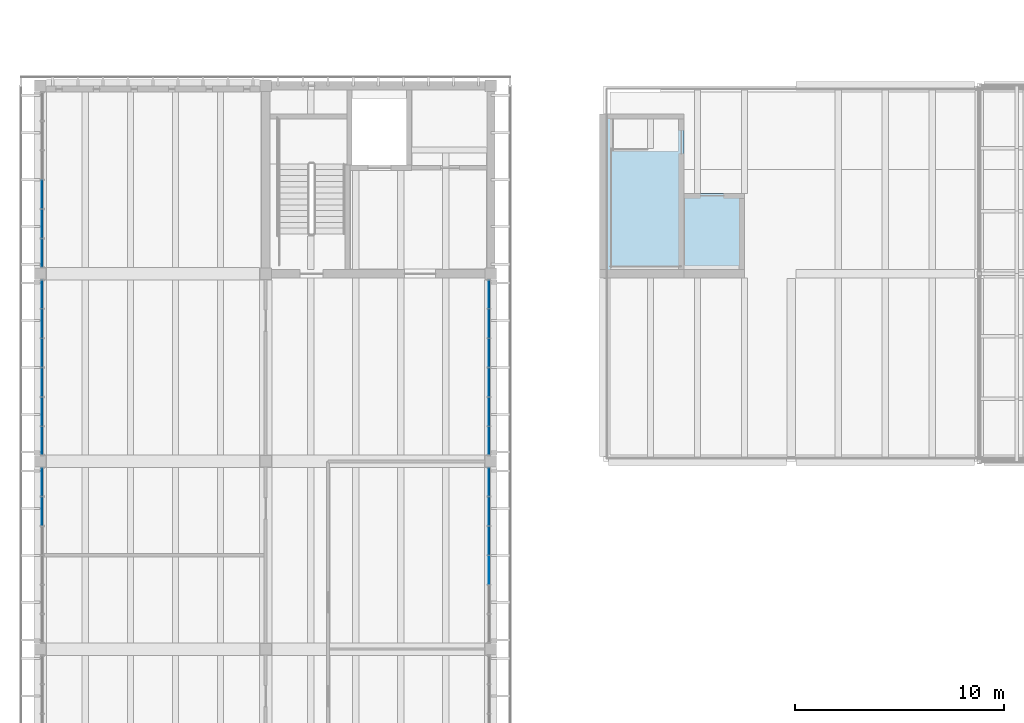
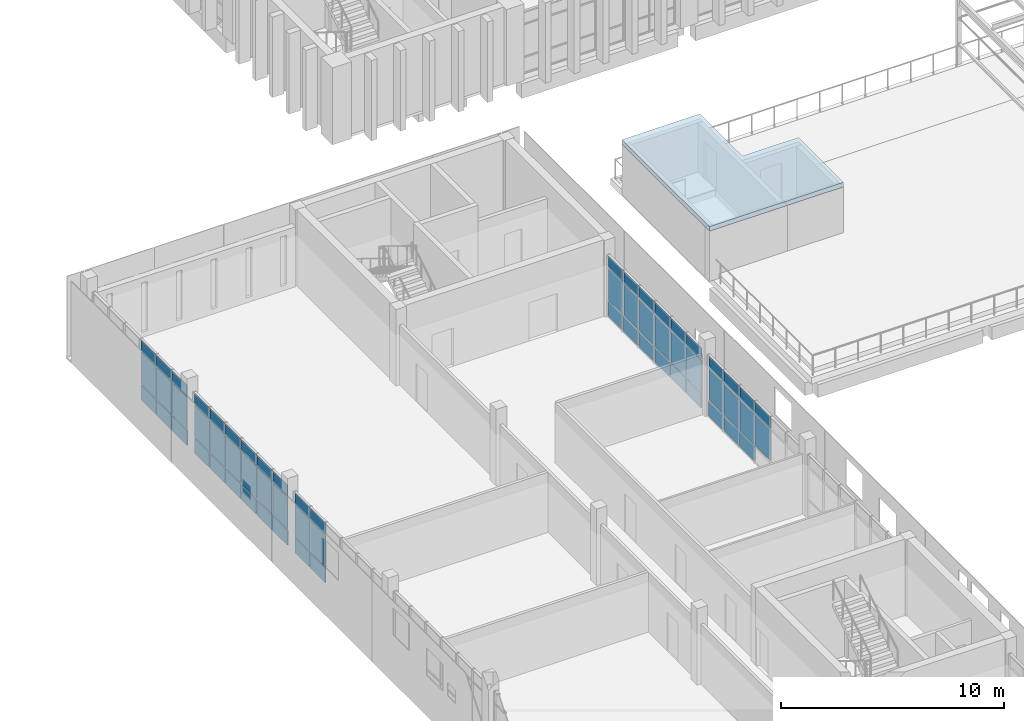
# One storey, part 36 of 74: 62 plates, 1 slab, 5 elements without a shape of their own.
"""IFC4 building model written with IfcOpenShell, lengths in metres."""

from ifc_helpers import new_model, si_unit, direction, frame, origin, origin_2d, place, context, subcontext, project, spatial, polyline, rectangle, outline, extrude, material, layer, layer_set, type_object, element, aggregate, save


model = new_model("IFC4")

# Units and contexts
model_context = context("Model", 3, precision=1e-05, world=origin(), true_north=direction((0.0, 1.0)))
body_context = subcontext(model_context, "Body", "Model", "MODEL_VIEW")
ifc_project = project(units=[si_unit("LENGTHUNIT", "METRE"), si_unit("AREAUNIT", "SQUARE_METRE"), si_unit("VOLUMEUNIT", "CUBIC_METRE"), si_unit("PLANEANGLEUNIT", "RADIAN"), si_unit("MASSUNIT", "GRAM", prefix="KILO")], contexts=[model_context])

# Site, building, storey
site_placement = place(None, origin())
site = spatial("IfcSite", under=ifc_project, at=site_placement, CompositionType="ELEMENT")
building_placement = place(site_placement, origin())
building = spatial("IfcBuilding", under=site, at=building_placement, Name="Merrow Basin Faculty of Sciences", CompositionType="ELEMENT")
storey_placement = place(building_placement, frame((0.0, 0.0, 13.5)))
storey = spatial("IfcBuildingStorey", under=building, at=storey_placement, Name="L03", CompositionType="ELEMENT", Elevation=13.5)

# Curtain wall, plates
ifc_material_1 = material(Name="Aluminium alloy 6063", Category="aluminium")
curtain_wall_type = type_object("IfcCurtainWallType", Name="Bar unitised curtain wall 180", PredefinedType="NOTDEFINED", material=ifc_material_1)
curtain_wall_1_placement = place(storey_placement, origin())
curtain_wall_1 = element("IfcCurtainWall", 1, at=curtain_wall_1_placement, inside=storey, type_object=curtain_wall_type, Name="West curtain wall L03 5", PredefinedType="NOTDEFINED")
ifc_material_2 = material(Name="Insulated aluminium spandrel panel", Category="aluminium")
ifc_layer_1 = layer(ifc_material_2, 0.052001953125)
ifc_layer_set_1 = layer_set([ifc_layer_1], Name="Insulated spandrel panel 52")
plate_type_1 = type_object("IfcPlateType", Name="Insulated spandrel panel 52", PredefinedType="CURTAIN_PANEL", material=ifc_layer_set_1)
plate_1_placement = place(storey_placement, frame((0.090087890625, 112.612548828125, 0.06005859375), z_axis=(0.0, 0.0, 1.0), x_axis=(0.0, 1.0, 0.0)))
plate_1 = element("IfcPlate", 2, at=plate_1_placement, type_object=plate_type_1, Name="CW1 panel 5.1", PredefinedType="CURTAIN_PANEL", context=body_context, shape_type="SweptSolid", body=[
    extrude(rectangle(XDim=1.348388671875, YDim=0.052001953125, at=origin_2d()), origin(), (0.0, 0.0, 1.0), 0.81005859375),
])
plate_2_placement = place(storey_placement, frame((0.090087890625, 114.005859375, 0.06005859375), z_axis=(0.0, 0.0, 1.0), x_axis=(0.0, 1.0, 0.0)))
plate_2 = element("IfcPlate", 3, at=plate_2_placement, type_object=plate_type_1, Name="CW1 panel 6.1", PredefinedType="CURTAIN_PANEL", context=body_context, shape_type="SweptSolid", body=[
    extrude(rectangle(XDim=1.318359375, YDim=0.052001953125, at=origin_2d()), origin(), (0.0, 0.0, 1.0), 0.81005859375),
])

curtain_wall_2_placement = place(storey_placement, origin())
curtain_wall_2 = element("IfcCurtainWall", 4, at=curtain_wall_2_placement, inside=storey, type_object=curtain_wall_type, Name="West curtain wall L03 6", PredefinedType="NOTDEFINED")
plate_3_placement = place(storey_placement, frame((0.090087890625, 115.994140625, 0.06005859375), z_axis=(0.0, 0.0, 1.0), x_axis=(0.0, 1.0, 0.0)))
plate_3 = element("IfcPlate", 5, at=plate_3_placement, type_object=plate_type_1, Name="CW1 panel 1.1", PredefinedType="CURTAIN_PANEL", context=body_context, shape_type="SweptSolid", body=[
    extrude(rectangle(XDim=1.318359375, YDim=0.052001953125, at=origin_2d()), origin(), (0.0, 0.0, 1.0), 0.81005859375),
])
plate_4_placement = place(storey_placement, frame((0.090087890625, 117.387451171875, 0.06005859375), z_axis=(0.0, 0.0, 1.0), x_axis=(0.0, 1.0, 0.0)))
plate_4 = element("IfcPlate", 6, at=plate_4_placement, type_object=plate_type_1, Name="CW1 panel 2.1", PredefinedType="CURTAIN_PANEL", context=body_context, shape_type="SweptSolid", body=[
    extrude(rectangle(XDim=1.348388671875, YDim=0.052001953125, at=origin_2d()), origin(), (0.0, 0.0, 1.0), 0.81005859375),
])
plate_5_placement = place(storey_placement, frame((0.090087890625, 118.7958984375, 0.06005859375), z_axis=(0.0, 0.0, 1.0), x_axis=(0.0, 1.0, 0.0)))
plate_5 = element("IfcPlate", 7, at=plate_5_placement, type_object=plate_type_1, Name="CW1 panel 3.1", PredefinedType="CURTAIN_PANEL", context=body_context, shape_type="SweptSolid", body=[
    extrude(rectangle(XDim=1.348388671875, YDim=0.052001953125, at=origin_2d()), origin(), (0.0, 0.0, 1.0), 0.81005859375),
])
plate_6_placement = place(storey_placement, frame((0.090087890625, 120.2041015625, 0.06005859375), z_axis=(0.0, 0.0, 1.0), x_axis=(0.0, 1.0, 0.0)))
plate_6 = element("IfcPlate", 8, at=plate_6_placement, type_object=plate_type_1, Name="CW1 panel 4.1", PredefinedType="CURTAIN_PANEL", context=body_context, shape_type="SweptSolid", body=[
    extrude(rectangle(XDim=1.348388671875, YDim=0.052001953125, at=origin_2d()), origin(), (0.0, 0.0, 1.0), 0.81005859375),
])
plate_7_placement = place(storey_placement, frame((0.090087890625, 121.612548828125, 0.06005859375), z_axis=(0.0, 0.0, 1.0), x_axis=(0.0, 1.0, 0.0)))
plate_7 = element("IfcPlate", 9, at=plate_7_placement, type_object=plate_type_1, Name="CW1 panel 5.1", PredefinedType="CURTAIN_PANEL", context=body_context, shape_type="SweptSolid", body=[
    extrude(rectangle(XDim=1.348388671875, YDim=0.052001953125, at=origin_2d()), origin(), (0.0, 0.0, 1.0), 0.81005859375),
])
plate_8_placement = place(storey_placement, frame((0.090087890625, 123.005859375, 0.06005859375), z_axis=(0.0, 0.0, 1.0), x_axis=(0.0, 1.0, 0.0)))
plate_8 = element("IfcPlate", 10, at=plate_8_placement, type_object=plate_type_1, Name="CW1 panel 6.1", PredefinedType="CURTAIN_PANEL", context=body_context, shape_type="SweptSolid", body=[
    extrude(rectangle(XDim=1.318359375, YDim=0.052001953125, at=origin_2d()), origin(), (0.0, 0.0, 1.0), 0.81005859375),
])

curtain_wall_3_placement = place(storey_placement, origin())
curtain_wall_3 = element("IfcCurtainWall", 11, at=curtain_wall_3_placement, inside=storey, type_object=curtain_wall_type, Name="West curtain wall L03 7", PredefinedType="NOTDEFINED")
plate_9_placement = place(storey_placement, frame((0.090087890625, 124.994140625, 0.06005859375), z_axis=(0.0, 0.0, 1.0), x_axis=(0.0, 1.0, 0.0)))
plate_9 = element("IfcPlate", 12, at=plate_9_placement, type_object=plate_type_1, Name="CW1 panel 1.1", PredefinedType="CURTAIN_PANEL", context=body_context, shape_type="SweptSolid", body=[
    extrude(rectangle(XDim=1.318359375, YDim=0.052001953125, at=origin_2d()), origin(), (0.0, 0.0, 1.0), 0.81005859375),
])
plate_10_placement = place(storey_placement, frame((0.090087890625, 126.387451171875, 0.06005859375), z_axis=(0.0, 0.0, 1.0), x_axis=(0.0, 1.0, 0.0)))
plate_10 = element("IfcPlate", 13, at=plate_10_placement, type_object=plate_type_1, Name="CW1 panel 2.1", PredefinedType="CURTAIN_PANEL", context=body_context, shape_type="SweptSolid", body=[
    extrude(rectangle(XDim=1.348388671875, YDim=0.052001953125, at=origin_2d()), origin(), (0.0, 0.0, 1.0), 0.81005859375),
])
plate_11_placement = place(storey_placement, frame((0.090087890625, 127.7958984375, 0.06005859375), z_axis=(0.0, 0.0, 1.0), x_axis=(0.0, 1.0, 0.0)))
plate_11 = element("IfcPlate", 14, at=plate_11_placement, type_object=plate_type_1, Name="CW1 panel 3.1", PredefinedType="CURTAIN_PANEL", context=body_context, shape_type="SweptSolid", body=[
    extrude(rectangle(XDim=1.348388671875, YDim=0.052001953125, at=origin_2d()), origin(), (0.0, 0.0, 1.0), 0.81005859375),
])

curtain_wall_4_placement = place(storey_placement, origin())
curtain_wall_4 = element("IfcCurtainWall", 15, at=curtain_wall_4_placement, inside=storey, type_object=curtain_wall_type, Name="East curtain wall L03 5", PredefinedType="NOTDEFINED")
plate_12_placement = place(storey_placement, frame((21.510009765625, 111.2041015625, 0.06005859375), z_axis=(0.0, 0.0, 1.0), x_axis=(0.0, 1.0, 0.0)))
plate_12 = element("IfcPlate", 16, at=plate_12_placement, type_object=plate_type_1, Name="CW1 panel 4.1", PredefinedType="CURTAIN_PANEL", context=body_context, shape_type="SweptSolid", body=[
    extrude(rectangle(XDim=1.348388671875, YDim=0.052001953125, at=origin_2d()), origin(), (0.0, 0.0, 1.0), 0.81005859375),
])
plate_13_placement = place(storey_placement, frame((21.510009765625, 112.612548828125, 0.06005859375), z_axis=(0.0, 0.0, 1.0), x_axis=(0.0, 1.0, 0.0)))
plate_13 = element("IfcPlate", 17, at=plate_13_placement, type_object=plate_type_1, Name="CW1 panel 5.1", PredefinedType="CURTAIN_PANEL", context=body_context, shape_type="SweptSolid", body=[
    extrude(rectangle(XDim=1.348388671875, YDim=0.052001953125, at=origin_2d()), origin(), (0.0, 0.0, 1.0), 0.81005859375),
])
plate_14_placement = place(storey_placement, frame((21.510009765625, 114.005859375, 0.06005859375), z_axis=(0.0, 0.0, 1.0), x_axis=(0.0, 1.0, 0.0)))
plate_14 = element("IfcPlate", 18, at=plate_14_placement, type_object=plate_type_1, Name="CW1 panel 6.1", PredefinedType="CURTAIN_PANEL", context=body_context, shape_type="SweptSolid", body=[
    extrude(rectangle(XDim=1.318359375, YDim=0.052001953125, at=origin_2d()), origin(), (0.0, 0.0, 1.0), 0.81005859375),
])

curtain_wall_5_placement = place(storey_placement, origin())
curtain_wall_5 = element("IfcCurtainWall", 19, at=curtain_wall_5_placement, inside=storey, type_object=curtain_wall_type, Name="East curtain wall L03 6", PredefinedType="NOTDEFINED")
plate_15_placement = place(storey_placement, frame((21.510009765625, 115.994140625, 0.06005859375), z_axis=(0.0, 0.0, 1.0), x_axis=(0.0, 1.0, 0.0)))
plate_15 = element("IfcPlate", 20, at=plate_15_placement, type_object=plate_type_1, Name="CW1 panel 1.1", PredefinedType="CURTAIN_PANEL", context=body_context, shape_type="SweptSolid", body=[
    extrude(rectangle(XDim=1.318359375, YDim=0.052001953125, at=origin_2d()), origin(), (0.0, 0.0, 1.0), 0.81005859375),
])
plate_16_placement = place(storey_placement, frame((21.510009765625, 117.387451171875, 0.06005859375), z_axis=(0.0, 0.0, 1.0), x_axis=(0.0, 1.0, 0.0)))
plate_16 = element("IfcPlate", 21, at=plate_16_placement, type_object=plate_type_1, Name="CW1 panel 2.1", PredefinedType="CURTAIN_PANEL", context=body_context, shape_type="SweptSolid", body=[
    extrude(rectangle(XDim=1.348388671875, YDim=0.052001953125, at=origin_2d()), origin(), (0.0, 0.0, 1.0), 0.81005859375),
])
plate_17_placement = place(storey_placement, frame((21.510009765625, 118.7958984375, 0.06005859375), z_axis=(0.0, 0.0, 1.0), x_axis=(0.0, 1.0, 0.0)))
plate_17 = element("IfcPlate", 22, at=plate_17_placement, type_object=plate_type_1, Name="CW1 panel 3.1", PredefinedType="CURTAIN_PANEL", context=body_context, shape_type="SweptSolid", body=[
    extrude(rectangle(XDim=1.348388671875, YDim=0.052001953125, at=origin_2d()), origin(), (0.0, 0.0, 1.0), 0.81005859375),
])
plate_18_placement = place(storey_placement, frame((21.510009765625, 120.2041015625, 0.06005859375), z_axis=(0.0, 0.0, 1.0), x_axis=(0.0, 1.0, 0.0)))
plate_18 = element("IfcPlate", 23, at=plate_18_placement, type_object=plate_type_1, Name="CW1 panel 4.1", PredefinedType="CURTAIN_PANEL", context=body_context, shape_type="SweptSolid", body=[
    extrude(rectangle(XDim=1.348388671875, YDim=0.052001953125, at=origin_2d()), origin(), (0.0, 0.0, 1.0), 0.81005859375),
])
plate_19_placement = place(storey_placement, frame((21.510009765625, 121.612548828125, 0.06005859375), z_axis=(0.0, 0.0, 1.0), x_axis=(0.0, 1.0, 0.0)))
plate_19 = element("IfcPlate", 24, at=plate_19_placement, type_object=plate_type_1, Name="CW1 panel 5.1", PredefinedType="CURTAIN_PANEL", context=body_context, shape_type="SweptSolid", body=[
    extrude(rectangle(XDim=1.348388671875, YDim=0.052001953125, at=origin_2d()), origin(), (0.0, 0.0, 1.0), 0.81005859375),
])
plate_20_placement = place(storey_placement, frame((21.510009765625, 123.005859375, 0.06005859375), z_axis=(0.0, 0.0, 1.0), x_axis=(0.0, 1.0, 0.0)))
plate_20 = element("IfcPlate", 25, at=plate_20_placement, type_object=plate_type_1, Name="CW1 panel 6.1", PredefinedType="CURTAIN_PANEL", context=body_context, shape_type="SweptSolid", body=[
    extrude(rectangle(XDim=1.318359375, YDim=0.052001953125, at=origin_2d()), origin(), (0.0, 0.0, 1.0), 0.81005859375),
])

# Plate
ifc_material_3 = material(Name="Low-E double glazing", Category="glass")
ifc_layer_2 = layer(ifc_material_3, 0.028076171875)
ifc_layer_set_2 = layer_set([ifc_layer_2], Name="Low-E double glazed panel 28")
plate_type_2 = type_object("IfcPlateType", Name="Low-E double glazed panel 28", PredefinedType="CURTAIN_PANEL", material=ifc_layer_set_2)
plate_21_placement = place(storey_placement, frame((0.090087890625, 112.612548828125, 0.93017578125), z_axis=(0.0, 0.0, 1.0), x_axis=(0.0, 1.0, 0.0)))
plate_21 = element("IfcPlate", 26, at=plate_21_placement, type_object=plate_type_2, Name="CW1 panel 5.2", PredefinedType="CURTAIN_PANEL", context=body_context, shape_type="SweptSolid", body=[
    extrude(rectangle(XDim=1.348388671875, YDim=0.028076171875, at=origin_2d()), origin(), (0.0, 0.0, 1.0), 1.739990234375),
])

plate_22_placement = place(storey_placement, frame((0.090087890625, 112.612548828125, 2.72998046875), z_axis=(0.0, 0.0, 1.0), x_axis=(0.0, 1.0, 0.0)))
plate_22 = element("IfcPlate", 27, at=plate_22_placement, type_object=plate_type_2, Name="CW1 panel 5.3", PredefinedType="CURTAIN_PANEL", context=body_context, shape_type="SweptSolid", body=[
    extrude(rectangle(XDim=1.348388671875, YDim=0.028076171875, at=origin_2d()), origin(), (0.0, 0.0, 1.0), 0.610107421875),
])

plate_23_placement = place(storey_placement, frame((0.090087890625, 114.005859375, 0.93017578125), z_axis=(0.0, 0.0, 1.0), x_axis=(0.0, 1.0, 0.0)))
plate_23 = element("IfcPlate", 28, at=plate_23_placement, type_object=plate_type_2, Name="CW1 panel 6.2", PredefinedType="CURTAIN_PANEL", context=body_context, shape_type="SweptSolid", body=[
    extrude(rectangle(XDim=1.318359375, YDim=0.028076171875, at=origin_2d()), origin(), (0.0, 0.0, 1.0), 1.739990234375),
])

plate_24_placement = place(storey_placement, frame((0.090087890625, 114.005859375, 2.72998046875), z_axis=(0.0, 0.0, 1.0), x_axis=(0.0, 1.0, 0.0)))
plate_24 = element("IfcPlate", 29, at=plate_24_placement, type_object=plate_type_2, Name="CW1 panel 6.3", PredefinedType="CURTAIN_PANEL", context=body_context, shape_type="SweptSolid", body=[
    extrude(rectangle(XDim=1.318359375, YDim=0.028076171875, at=origin_2d()), origin(), (0.0, 0.0, 1.0), 0.610107421875),
])

aggregate(curtain_wall_1, [plate_1, plate_21, plate_22, plate_2, plate_23, plate_24])

plate_25_placement = place(storey_placement, frame((0.090087890625, 115.994140625, 0.93017578125), z_axis=(0.0, 0.0, 1.0), x_axis=(0.0, 1.0, 0.0)))
plate_25 = element("IfcPlate", 30, at=plate_25_placement, type_object=plate_type_2, Name="CW1 panel 1.2", PredefinedType="CURTAIN_PANEL", context=body_context, shape_type="SweptSolid", body=[
    extrude(rectangle(XDim=1.318359375, YDim=0.028076171875, at=origin_2d()), origin(), (0.0, 0.0, 1.0), 1.739990234375),
])

plate_26_placement = place(storey_placement, frame((0.090087890625, 115.994140625, 2.72998046875), z_axis=(0.0, 0.0, 1.0), x_axis=(0.0, 1.0, 0.0)))
plate_26 = element("IfcPlate", 31, at=plate_26_placement, type_object=plate_type_2, Name="CW1 panel 1.3", PredefinedType="CURTAIN_PANEL", context=body_context, shape_type="SweptSolid", body=[
    extrude(rectangle(XDim=1.318359375, YDim=0.028076171875, at=origin_2d()), origin(), (0.0, 0.0, 1.0), 0.610107421875),
])

plate_27_placement = place(storey_placement, frame((0.090087890625, 117.387451171875, 0.93017578125), z_axis=(0.0, 0.0, 1.0), x_axis=(0.0, 1.0, 0.0)))
plate_27 = element("IfcPlate", 32, at=plate_27_placement, type_object=plate_type_2, Name="CW1 panel 2.2", PredefinedType="CURTAIN_PANEL", context=body_context, shape_type="SweptSolid", body=[
    extrude(rectangle(XDim=1.348388671875, YDim=0.028076171875, at=origin_2d()), origin(), (0.0, 0.0, 1.0), 1.739990234375),
])

plate_28_placement = place(storey_placement, frame((0.090087890625, 117.387451171875, 2.72998046875), z_axis=(0.0, 0.0, 1.0), x_axis=(0.0, 1.0, 0.0)))
plate_28 = element("IfcPlate", 33, at=plate_28_placement, type_object=plate_type_2, Name="CW1 panel 2.3", PredefinedType="CURTAIN_PANEL", context=body_context, shape_type="SweptSolid", body=[
    extrude(rectangle(XDim=1.348388671875, YDim=0.028076171875, at=origin_2d()), origin(), (0.0, 0.0, 1.0), 0.610107421875),
])

plate_29_placement = place(storey_placement, frame((0.090087890625, 118.7958984375, 0.93017578125), z_axis=(0.0, 0.0, 1.0), x_axis=(0.0, 1.0, 0.0)))
plate_29 = element("IfcPlate", 34, at=plate_29_placement, type_object=plate_type_2, Name="CW1 panel 3.2", PredefinedType="CURTAIN_PANEL", context=body_context, shape_type="SweptSolid", body=[
    extrude(rectangle(XDim=1.348388671875, YDim=0.028076171875, at=origin_2d()), origin(), (0.0, 0.0, 1.0), 1.739990234375),
])

plate_30_placement = place(storey_placement, frame((0.090087890625, 118.7958984375, 2.72998046875), z_axis=(0.0, 0.0, 1.0), x_axis=(0.0, 1.0, 0.0)))
plate_30 = element("IfcPlate", 35, at=plate_30_placement, type_object=plate_type_2, Name="CW1 panel 3.3", PredefinedType="CURTAIN_PANEL", context=body_context, shape_type="SweptSolid", body=[
    extrude(rectangle(XDim=1.348388671875, YDim=0.028076171875, at=origin_2d()), origin(), (0.0, 0.0, 1.0), 0.610107421875),
])

plate_31_placement = place(storey_placement, frame((0.090087890625, 120.2041015625, 0.93017578125), z_axis=(0.0, 0.0, 1.0), x_axis=(0.0, 1.0, 0.0)))
plate_31 = element("IfcPlate", 36, at=plate_31_placement, type_object=plate_type_2, Name="CW1 panel 4.2", PredefinedType="CURTAIN_PANEL", context=body_context, shape_type="SweptSolid", body=[
    extrude(rectangle(XDim=1.348388671875, YDim=0.028076171875, at=origin_2d()), origin(), (0.0, 0.0, 1.0), 1.739990234375),
])

plate_32_placement = place(storey_placement, frame((0.090087890625, 120.2041015625, 2.72998046875), z_axis=(0.0, 0.0, 1.0), x_axis=(0.0, 1.0, 0.0)))
plate_32 = element("IfcPlate", 37, at=plate_32_placement, type_object=plate_type_2, Name="CW1 panel 4.3", PredefinedType="CURTAIN_PANEL", context=body_context, shape_type="SweptSolid", body=[
    extrude(rectangle(XDim=1.348388671875, YDim=0.028076171875, at=origin_2d()), origin(), (0.0, 0.0, 1.0), 0.610107421875),
])

plate_33_placement = place(storey_placement, frame((0.090087890625, 121.612548828125, 0.93017578125), z_axis=(0.0, 0.0, 1.0), x_axis=(0.0, 1.0, 0.0)))
plate_33 = element("IfcPlate", 38, at=plate_33_placement, type_object=plate_type_2, Name="CW1 panel 5.2", PredefinedType="CURTAIN_PANEL", context=body_context, shape_type="SweptSolid", body=[
    extrude(rectangle(XDim=1.348388671875, YDim=0.028076171875, at=origin_2d()), origin(), (0.0, 0.0, 1.0), 1.739990234375),
])

plate_34_placement = place(storey_placement, frame((0.090087890625, 121.612548828125, 2.72998046875), z_axis=(0.0, 0.0, 1.0), x_axis=(0.0, 1.0, 0.0)))
plate_34 = element("IfcPlate", 39, at=plate_34_placement, type_object=plate_type_2, Name="CW1 panel 5.3", PredefinedType="CURTAIN_PANEL", context=body_context, shape_type="SweptSolid", body=[
    extrude(rectangle(XDim=1.348388671875, YDim=0.028076171875, at=origin_2d()), origin(), (0.0, 0.0, 1.0), 0.610107421875),
])

plate_35_placement = place(storey_placement, frame((0.090087890625, 123.005859375, 0.93017578125), z_axis=(0.0, 0.0, 1.0), x_axis=(0.0, 1.0, 0.0)))
plate_35 = element("IfcPlate", 40, at=plate_35_placement, type_object=plate_type_2, Name="CW1 panel 6.2", PredefinedType="CURTAIN_PANEL", context=body_context, shape_type="SweptSolid", body=[
    extrude(rectangle(XDim=1.318359375, YDim=0.028076171875, at=origin_2d()), origin(), (0.0, 0.0, 1.0), 1.739990234375),
])

plate_36_placement = place(storey_placement, frame((0.090087890625, 123.005859375, 2.72998046875), z_axis=(0.0, 0.0, 1.0), x_axis=(0.0, 1.0, 0.0)))
plate_36 = element("IfcPlate", 41, at=plate_36_placement, type_object=plate_type_2, Name="CW1 panel 6.3", PredefinedType="CURTAIN_PANEL", context=body_context, shape_type="SweptSolid", body=[
    extrude(rectangle(XDim=1.318359375, YDim=0.028076171875, at=origin_2d()), origin(), (0.0, 0.0, 1.0), 0.610107421875),
])

aggregate(curtain_wall_2, [plate_3, plate_25, plate_26, plate_4, plate_27, plate_28, plate_5, plate_29, plate_30, plate_6, plate_31, plate_32, plate_7, plate_33, plate_34, plate_8, plate_35, plate_36])

plate_37_placement = place(storey_placement, frame((0.090087890625, 124.994140625, 0.93017578125), z_axis=(0.0, 0.0, 1.0), x_axis=(0.0, 1.0, 0.0)))
plate_37 = element("IfcPlate", 42, at=plate_37_placement, type_object=plate_type_2, Name="CW1 panel 1.2", PredefinedType="CURTAIN_PANEL", context=body_context, shape_type="SweptSolid", body=[
    extrude(rectangle(XDim=1.318359375, YDim=0.028076171875, at=origin_2d()), origin(), (0.0, 0.0, 1.0), 1.739990234375),
])

plate_38_placement = place(storey_placement, frame((0.090087890625, 124.994140625, 2.72998046875), z_axis=(0.0, 0.0, 1.0), x_axis=(0.0, 1.0, 0.0)))
plate_38 = element("IfcPlate", 43, at=plate_38_placement, type_object=plate_type_2, Name="CW1 panel 1.3", PredefinedType="CURTAIN_PANEL", context=body_context, shape_type="SweptSolid", body=[
    extrude(rectangle(XDim=1.318359375, YDim=0.028076171875, at=origin_2d()), origin(), (0.0, 0.0, 1.0), 0.610107421875),
])

plate_39_placement = place(storey_placement, frame((0.090087890625, 126.387451171875, 0.93017578125), z_axis=(0.0, 0.0, 1.0), x_axis=(0.0, 1.0, 0.0)))
plate_39 = element("IfcPlate", 44, at=plate_39_placement, type_object=plate_type_2, Name="CW1 panel 2.2", PredefinedType="CURTAIN_PANEL", context=body_context, shape_type="SweptSolid", body=[
    extrude(rectangle(XDim=1.348388671875, YDim=0.028076171875, at=origin_2d()), origin(), (0.0, 0.0, 1.0), 1.739990234375),
])

plate_40_placement = place(storey_placement, frame((0.090087890625, 126.387451171875, 2.72998046875), z_axis=(0.0, 0.0, 1.0), x_axis=(0.0, 1.0, 0.0)))
plate_40 = element("IfcPlate", 45, at=plate_40_placement, type_object=plate_type_2, Name="CW1 panel 2.3", PredefinedType="CURTAIN_PANEL", context=body_context, shape_type="SweptSolid", body=[
    extrude(rectangle(XDim=1.348388671875, YDim=0.028076171875, at=origin_2d()), origin(), (0.0, 0.0, 1.0), 0.610107421875),
])

plate_41_placement = place(storey_placement, frame((0.090087890625, 127.7958984375, 0.93017578125), z_axis=(0.0, 0.0, 1.0), x_axis=(0.0, 1.0, 0.0)))
plate_41 = element("IfcPlate", 46, at=plate_41_placement, type_object=plate_type_2, Name="CW1 panel 3.2", PredefinedType="CURTAIN_PANEL", context=body_context, shape_type="SweptSolid", body=[
    extrude(rectangle(XDim=1.348388671875, YDim=0.028076171875, at=origin_2d()), origin(), (0.0, 0.0, 1.0), 1.739990234375),
])

plate_42_placement = place(storey_placement, frame((0.090087890625, 127.7958984375, 2.72998046875), z_axis=(0.0, 0.0, 1.0), x_axis=(0.0, 1.0, 0.0)))
plate_42 = element("IfcPlate", 47, at=plate_42_placement, type_object=plate_type_2, Name="CW1 panel 3.3", PredefinedType="CURTAIN_PANEL", context=body_context, shape_type="SweptSolid", body=[
    extrude(rectangle(XDim=1.348388671875, YDim=0.028076171875, at=origin_2d()), origin(), (0.0, 0.0, 1.0), 0.610107421875),
])

aggregate(curtain_wall_3, [plate_9, plate_37, plate_38, plate_10, plate_39, plate_40, plate_11, plate_41, plate_42])

plate_43_placement = place(storey_placement, frame((21.510009765625, 109.7958984375, 0.93017578125), z_axis=(0.0, 0.0, 1.0), x_axis=(0.0, 1.0, 0.0)))
plate_43 = element("IfcPlate", 48, at=plate_43_placement, type_object=plate_type_2, Name="CW1 panel 3.2", PredefinedType="CURTAIN_PANEL", context=body_context, shape_type="SweptSolid", body=[
    extrude(rectangle(XDim=1.348388671875, YDim=0.028076171875, at=origin_2d()), origin(), (0.0, 0.0, 1.0), 1.739990234375),
])

plate_44_placement = place(storey_placement, frame((21.510009765625, 109.7958984375, 2.72998046875), z_axis=(0.0, 0.0, 1.0), x_axis=(0.0, 1.0, 0.0)))
plate_44 = element("IfcPlate", 49, at=plate_44_placement, type_object=plate_type_2, Name="CW1 panel 3.3", PredefinedType="CURTAIN_PANEL", context=body_context, shape_type="SweptSolid", body=[
    extrude(rectangle(XDim=1.348388671875, YDim=0.028076171875, at=origin_2d()), origin(), (0.0, 0.0, 1.0), 0.610107421875),
])

plate_45_placement = place(storey_placement, frame((21.510009765625, 111.2041015625, 0.93017578125), z_axis=(0.0, 0.0, 1.0), x_axis=(0.0, 1.0, 0.0)))
plate_45 = element("IfcPlate", 50, at=plate_45_placement, type_object=plate_type_2, Name="CW1 panel 4.2", PredefinedType="CURTAIN_PANEL", context=body_context, shape_type="SweptSolid", body=[
    extrude(rectangle(XDim=1.348388671875, YDim=0.028076171875, at=origin_2d()), origin(), (0.0, 0.0, 1.0), 1.739990234375),
])

plate_46_placement = place(storey_placement, frame((21.510009765625, 111.2041015625, 2.72998046875), z_axis=(0.0, 0.0, 1.0), x_axis=(0.0, 1.0, 0.0)))
plate_46 = element("IfcPlate", 51, at=plate_46_placement, type_object=plate_type_2, Name="CW1 panel 4.3", PredefinedType="CURTAIN_PANEL", context=body_context, shape_type="SweptSolid", body=[
    extrude(rectangle(XDim=1.348388671875, YDim=0.028076171875, at=origin_2d()), origin(), (0.0, 0.0, 1.0), 0.610107421875),
])

plate_47_placement = place(storey_placement, frame((21.510009765625, 112.612548828125, 0.93017578125), z_axis=(0.0, 0.0, 1.0), x_axis=(0.0, 1.0, 0.0)))
plate_47 = element("IfcPlate", 52, at=plate_47_placement, type_object=plate_type_2, Name="CW1 panel 5.2", PredefinedType="CURTAIN_PANEL", context=body_context, shape_type="SweptSolid", body=[
    extrude(rectangle(XDim=1.348388671875, YDim=0.028076171875, at=origin_2d()), origin(), (0.0, 0.0, 1.0), 1.739990234375),
])

plate_48_placement = place(storey_placement, frame((21.510009765625, 112.612548828125, 2.72998046875), z_axis=(0.0, 0.0, 1.0), x_axis=(0.0, 1.0, 0.0)))
plate_48 = element("IfcPlate", 53, at=plate_48_placement, type_object=plate_type_2, Name="CW1 panel 5.3", PredefinedType="CURTAIN_PANEL", context=body_context, shape_type="SweptSolid", body=[
    extrude(rectangle(XDim=1.348388671875, YDim=0.028076171875, at=origin_2d()), origin(), (0.0, 0.0, 1.0), 0.610107421875),
])

plate_49_placement = place(storey_placement, frame((21.510009765625, 114.005859375, 0.93017578125), z_axis=(0.0, 0.0, 1.0), x_axis=(0.0, 1.0, 0.0)))
plate_49 = element("IfcPlate", 54, at=plate_49_placement, type_object=plate_type_2, Name="CW1 panel 6.2", PredefinedType="CURTAIN_PANEL", context=body_context, shape_type="SweptSolid", body=[
    extrude(rectangle(XDim=1.318359375, YDim=0.028076171875, at=origin_2d()), origin(), (0.0, 0.0, 1.0), 1.739990234375),
])

plate_50_placement = place(storey_placement, frame((21.510009765625, 114.005859375, 2.72998046875), z_axis=(0.0, 0.0, 1.0), x_axis=(0.0, 1.0, 0.0)))
plate_50 = element("IfcPlate", 55, at=plate_50_placement, type_object=plate_type_2, Name="CW1 panel 6.3", PredefinedType="CURTAIN_PANEL", context=body_context, shape_type="SweptSolid", body=[
    extrude(rectangle(XDim=1.318359375, YDim=0.028076171875, at=origin_2d()), origin(), (0.0, 0.0, 1.0), 0.610107421875),
])

aggregate(curtain_wall_4, [plate_43, plate_44, plate_12, plate_45, plate_46, plate_13, plate_47, plate_48, plate_14, plate_49, plate_50])

plate_51_placement = place(storey_placement, frame((21.510009765625, 115.994140625, 0.93017578125), z_axis=(0.0, 0.0, 1.0), x_axis=(0.0, 1.0, 0.0)))
plate_51 = element("IfcPlate", 56, at=plate_51_placement, type_object=plate_type_2, Name="CW1 panel 1.2", PredefinedType="CURTAIN_PANEL", context=body_context, shape_type="SweptSolid", body=[
    extrude(rectangle(XDim=1.318359375, YDim=0.028076171875, at=origin_2d()), origin(), (0.0, 0.0, 1.0), 1.739990234375),
])

plate_52_placement = place(storey_placement, frame((21.510009765625, 115.994140625, 2.72998046875), z_axis=(0.0, 0.0, 1.0), x_axis=(0.0, 1.0, 0.0)))
plate_52 = element("IfcPlate", 57, at=plate_52_placement, type_object=plate_type_2, Name="CW1 panel 1.3", PredefinedType="CURTAIN_PANEL", context=body_context, shape_type="SweptSolid", body=[
    extrude(rectangle(XDim=1.318359375, YDim=0.028076171875, at=origin_2d()), origin(), (0.0, 0.0, 1.0), 0.610107421875),
])

plate_53_placement = place(storey_placement, frame((21.510009765625, 117.387451171875, 0.93017578125), z_axis=(0.0, 0.0, 1.0), x_axis=(0.0, 1.0, 0.0)))
plate_53 = element("IfcPlate", 58, at=plate_53_placement, type_object=plate_type_2, Name="CW1 panel 2.2", PredefinedType="CURTAIN_PANEL", context=body_context, shape_type="SweptSolid", body=[
    extrude(rectangle(XDim=1.348388671875, YDim=0.028076171875, at=origin_2d()), origin(), (0.0, 0.0, 1.0), 1.739990234375),
])

plate_54_placement = place(storey_placement, frame((21.510009765625, 117.387451171875, 2.72998046875), z_axis=(0.0, 0.0, 1.0), x_axis=(0.0, 1.0, 0.0)))
plate_54 = element("IfcPlate", 59, at=plate_54_placement, type_object=plate_type_2, Name="CW1 panel 2.3", PredefinedType="CURTAIN_PANEL", context=body_context, shape_type="SweptSolid", body=[
    extrude(rectangle(XDim=1.348388671875, YDim=0.028076171875, at=origin_2d()), origin(), (0.0, 0.0, 1.0), 0.610107421875),
])

plate_55_placement = place(storey_placement, frame((21.510009765625, 118.7958984375, 0.93017578125), z_axis=(0.0, 0.0, 1.0), x_axis=(0.0, 1.0, 0.0)))
plate_55 = element("IfcPlate", 60, at=plate_55_placement, type_object=plate_type_2, Name="CW1 panel 3.2", PredefinedType="CURTAIN_PANEL", context=body_context, shape_type="SweptSolid", body=[
    extrude(rectangle(XDim=1.348388671875, YDim=0.028076171875, at=origin_2d()), origin(), (0.0, 0.0, 1.0), 1.739990234375),
])

plate_56_placement = place(storey_placement, frame((21.510009765625, 118.7958984375, 2.72998046875), z_axis=(0.0, 0.0, 1.0), x_axis=(0.0, 1.0, 0.0)))
plate_56 = element("IfcPlate", 61, at=plate_56_placement, type_object=plate_type_2, Name="CW1 panel 3.3", PredefinedType="CURTAIN_PANEL", context=body_context, shape_type="SweptSolid", body=[
    extrude(rectangle(XDim=1.348388671875, YDim=0.028076171875, at=origin_2d()), origin(), (0.0, 0.0, 1.0), 0.610107421875),
])

plate_57_placement = place(storey_placement, frame((21.510009765625, 120.2041015625, 0.93017578125), z_axis=(0.0, 0.0, 1.0), x_axis=(0.0, 1.0, 0.0)))
plate_57 = element("IfcPlate", 62, at=plate_57_placement, type_object=plate_type_2, Name="CW1 panel 4.2", PredefinedType="CURTAIN_PANEL", context=body_context, shape_type="SweptSolid", body=[
    extrude(rectangle(XDim=1.348388671875, YDim=0.028076171875, at=origin_2d()), origin(), (0.0, 0.0, 1.0), 1.739990234375),
])

plate_58_placement = place(storey_placement, frame((21.510009765625, 120.2041015625, 2.72998046875), z_axis=(0.0, 0.0, 1.0), x_axis=(0.0, 1.0, 0.0)))
plate_58 = element("IfcPlate", 63, at=plate_58_placement, type_object=plate_type_2, Name="CW1 panel 4.3", PredefinedType="CURTAIN_PANEL", context=body_context, shape_type="SweptSolid", body=[
    extrude(rectangle(XDim=1.348388671875, YDim=0.028076171875, at=origin_2d()), origin(), (0.0, 0.0, 1.0), 0.610107421875),
])

plate_59_placement = place(storey_placement, frame((21.510009765625, 121.612548828125, 0.93017578125), z_axis=(0.0, 0.0, 1.0), x_axis=(0.0, 1.0, 0.0)))
plate_59 = element("IfcPlate", 64, at=plate_59_placement, type_object=plate_type_2, Name="CW1 panel 5.2", PredefinedType="CURTAIN_PANEL", context=body_context, shape_type="SweptSolid", body=[
    extrude(rectangle(XDim=1.348388671875, YDim=0.028076171875, at=origin_2d()), origin(), (0.0, 0.0, 1.0), 1.739990234375),
])

plate_60_placement = place(storey_placement, frame((21.510009765625, 121.612548828125, 2.72998046875), z_axis=(0.0, 0.0, 1.0), x_axis=(0.0, 1.0, 0.0)))
plate_60 = element("IfcPlate", 65, at=plate_60_placement, type_object=plate_type_2, Name="CW1 panel 5.3", PredefinedType="CURTAIN_PANEL", context=body_context, shape_type="SweptSolid", body=[
    extrude(rectangle(XDim=1.348388671875, YDim=0.028076171875, at=origin_2d()), origin(), (0.0, 0.0, 1.0), 0.610107421875),
])

plate_61_placement = place(storey_placement, frame((21.510009765625, 123.005859375, 0.93017578125), z_axis=(0.0, 0.0, 1.0), x_axis=(0.0, 1.0, 0.0)))
plate_61 = element("IfcPlate", 66, at=plate_61_placement, type_object=plate_type_2, Name="CW1 panel 6.2", PredefinedType="CURTAIN_PANEL", context=body_context, shape_type="SweptSolid", body=[
    extrude(rectangle(XDim=1.318359375, YDim=0.028076171875, at=origin_2d()), origin(), (0.0, 0.0, 1.0), 1.739990234375),
])

plate_62_placement = place(storey_placement, frame((21.510009765625, 123.005859375, 2.72998046875), z_axis=(0.0, 0.0, 1.0), x_axis=(0.0, 1.0, 0.0)))
plate_62 = element("IfcPlate", 67, at=plate_62_placement, type_object=plate_type_2, Name="CW1 panel 6.3", PredefinedType="CURTAIN_PANEL", context=body_context, shape_type="SweptSolid", body=[
    extrude(rectangle(XDim=1.318359375, YDim=0.028076171875, at=origin_2d()), origin(), (0.0, 0.0, 1.0), 0.610107421875),
])

aggregate(curtain_wall_5, [plate_15, plate_51, plate_52, plate_16, plate_53, plate_54, plate_17, plate_55, plate_56, plate_18, plate_57, plate_58, plate_19, plate_59, plate_60, plate_20, plate_61, plate_62])

# Slab
ifc_material_4 = material(Name="Concrete C40/50", Category="concrete")
ifc_layer_3 = layer(ifc_material_4, 0.25)
ifc_layer_set_3 = layer_set([ifc_layer_3], Name="Roof slab 250 Concrete C40/50")
slab_type = type_object("IfcSlabType", Name="Roof slab 250 Concrete C40/50", PredefinedType="ROOF", material=ifc_layer_set_3)
slab_placement = place(storey_placement, frame((0.0, 0.0, 2.75)))
element("IfcSlab", 68, at=slab_placement, inside=storey, type_object=slab_type, Name="SL9 head-house roof L03 002", PredefinedType="ROOF", context=body_context, shape_type="SweptSolid", body=[
    extrude(outline(polyline([(30.85009765625, 123.800048828125), (30.64990234375, 123.800048828125), (26.800048828125, 123.800048828125), (26.800048828125, 131.64990234375), (30.85009765625, 131.64990234375), (30.85009765625, 127.85009765625), (33.75, 127.85009765625), (33.75, 123.800048828125), (30.85009765625, 123.800048828125)])), origin(), (0.0, 0.0, 1.0), 0.25),
])

save(model, "model.ifc")
